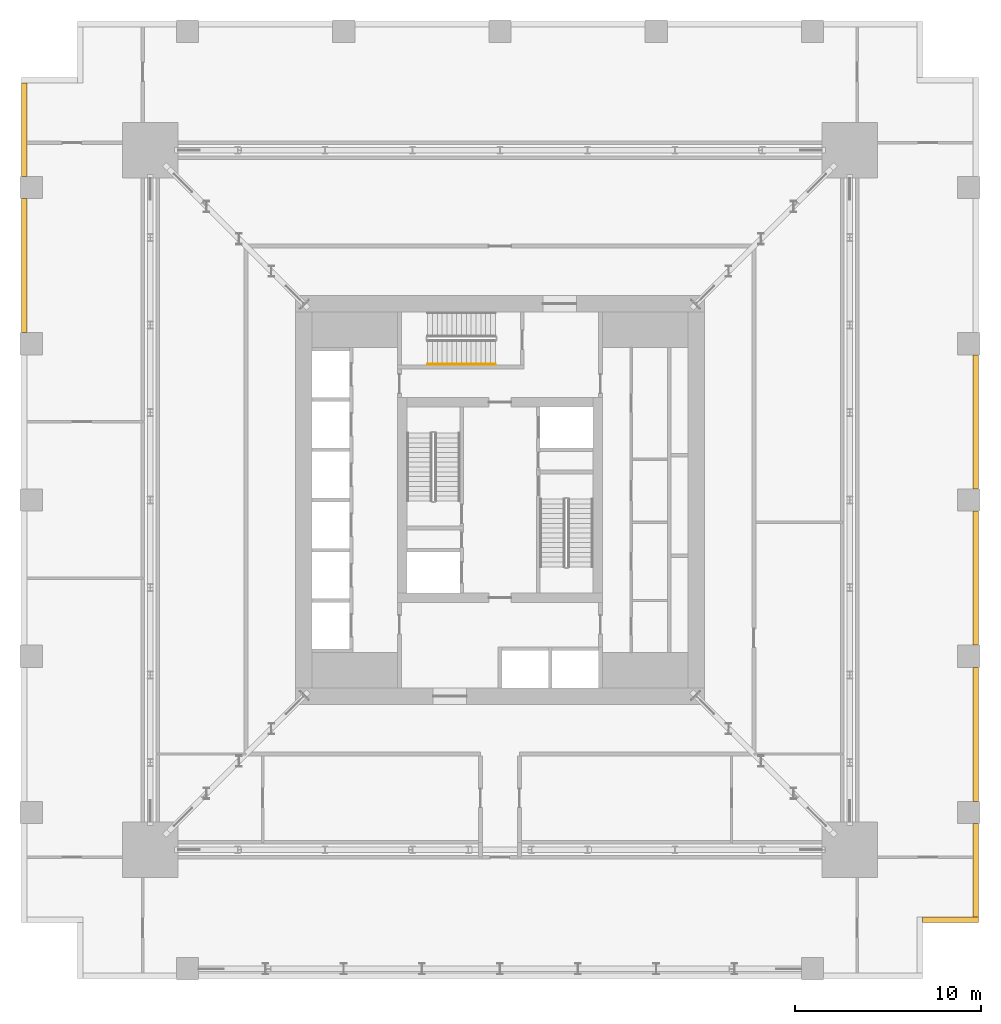
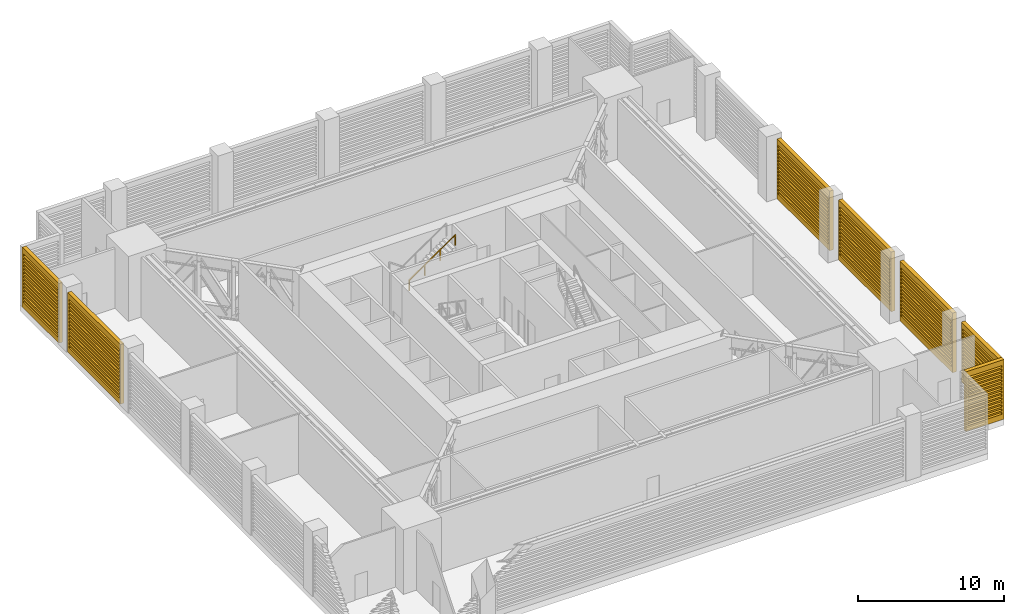
# One storey, part 15 of 17: 7 shading devices, 1 railing.
"""IFC4 building model written with IfcOpenShell, lengths in metres."""

from ifc_helpers import new_model, si_unit, direction, frame, origin, origin_2d, place, context, subcontext, project, spatial, polyline, rectangle, outline, extrude, material, type_object, element, save


model = new_model("IFC4")

# Units and contexts
model_context = context("Model", 3, precision=1e-05, world=origin(), true_north=direction((0.0, 1.0)))
body_context = subcontext(model_context, "Body", "Model", "MODEL_VIEW")
ifc_project = project(units=[si_unit("LENGTHUNIT", "METRE"), si_unit("AREAUNIT", "SQUARE_METRE"), si_unit("VOLUMEUNIT", "CUBIC_METRE"), si_unit("PLANEANGLEUNIT", "RADIAN"), si_unit("MASSUNIT", "GRAM", prefix="KILO")], contexts=[model_context])

# Site, building, storey
site_placement = place(None, origin())
site = spatial("IfcSite", under=ifc_project, at=site_placement, CompositionType="ELEMENT")
building_placement = place(site_placement, origin())
building = spatial("IfcBuilding", under=site, at=building_placement, Name="Khepri Terraces", CompositionType="ELEMENT")
storey_placement = place(building_placement, frame((0.0, 0.0, 73.800048828125)))
storey = spatial("IfcBuildingStorey", under=building, at=storey_placement, Name="L17", CompositionType="ELEMENT", Elevation=73.800048828125)

# Shading devices
ifc_material_1 = material(Name="Anodised aluminium bronze", Category="aluminium")
shading_device_type = type_object("IfcShadingDeviceType", Name="LVR-PLANT-300", PredefinedType="USERDEFINED", material=ifc_material_1)
shading_device_1_placement = place(storey_placement, frame((25.419921875, -22.419921875, 0.0), z_axis=(1.0, 0.0, 0.0), x_axis=(0.0, 1.0, 0.0)))
element("IfcShadingDevice", 1, at=shading_device_1_placement, inside=storey, type_object=shading_device_type, Name="Louvre wall L17 E", ObjectType="LOUVRE", PredefinedType="USERDEFINED", context=body_context, shape_type="SweptSolid", body=[
    extrude(outline(polyline([(0.0, 0.0), (5.02001953125, 0.0), (5.02001953125, 4.97998046875), (0.0, 4.97998046875), (0.0, 0.0)]), holes=[polyline([(0.14990234375, 0.449951171875), (4.8701171875, 0.449951171875), (4.8701171875, 0.6201171875), (0.14990234375, 0.6201171875), (0.14990234375, 0.449951171875)]), polyline([(0.14990234375, 0.75), (4.8701171875, 0.75), (4.8701171875, 0.919921875), (0.14990234375, 0.919921875), (0.14990234375, 0.75)]), polyline([(0.14990234375, 1.050048828125), (4.8701171875, 1.050048828125), (4.8701171875, 1.219970703125), (0.14990234375, 1.219970703125), (0.14990234375, 1.050048828125)]), polyline([(0.14990234375, 1.35009765625), (4.8701171875, 1.35009765625), (4.8701171875, 1.52001953125), (0.14990234375, 1.52001953125), (0.14990234375, 1.35009765625)]), polyline([(0.14990234375, 1.64990234375), (4.8701171875, 1.64990234375), (4.8701171875, 1.820068359375), (0.14990234375, 1.820068359375), (0.14990234375, 1.64990234375)]), polyline([(0.14990234375, 1.949951171875), (4.8701171875, 1.949951171875), (4.8701171875, 2.1201171875), (0.14990234375, 2.1201171875), (0.14990234375, 1.949951171875)]), polyline([(0.14990234375, 2.25), (4.8701171875, 2.25), (4.8701171875, 2.419921875), (0.14990234375, 2.419921875), (0.14990234375, 2.25)]), polyline([(0.14990234375, 2.550048828125), (4.8701171875, 2.550048828125), (4.8701171875, 2.719970703125), (0.14990234375, 2.719970703125), (0.14990234375, 2.550048828125)]), polyline([(0.14990234375, 2.85009765625), (4.8701171875, 2.85009765625), (4.8701171875, 3.02001953125), (0.14990234375, 3.02001953125), (0.14990234375, 2.85009765625)]), polyline([(0.14990234375, 3.14990234375), (4.8701171875, 3.14990234375), (4.8701171875, 3.320068359375), (0.14990234375, 3.320068359375), (0.14990234375, 3.14990234375)]), polyline([(0.14990234375, 3.449951171875), (4.8701171875, 3.449951171875), (4.8701171875, 3.6201171875), (0.14990234375, 3.6201171875), (0.14990234375, 3.449951171875)]), polyline([(0.14990234375, 3.75), (4.8701171875, 3.75), (4.8701171875, 3.919921875), (0.14990234375, 3.919921875), (0.14990234375, 3.75)]), polyline([(0.14990234375, 4.050048828125), (4.8701171875, 4.050048828125), (4.8701171875, 4.219970703125), (0.14990234375, 4.219970703125), (0.14990234375, 4.050048828125)]), polyline([(0.14990234375, 4.35009765625), (4.8701171875, 4.35009765625), (4.8701171875, 4.52001953125), (0.14990234375, 4.52001953125), (0.14990234375, 4.35009765625)])]), origin(), (0.0, 0.0, 1.0), 0.300048828125),
])
shading_device_2_placement = place(storey_placement, frame((25.419921875, -16.199951171875, 0.0), z_axis=(1.0, 0.0, 0.0), x_axis=(0.0, 1.0, 0.0)))
element("IfcShadingDevice", 2, at=shading_device_2_placement, inside=storey, type_object=shading_device_type, Name="Louvre wall L17 E", ObjectType="LOUVRE", PredefinedType="USERDEFINED", context=body_context, shape_type="SweptSolid", body=[
    extrude(outline(polyline([(0.0, 0.0), (7.199951171875, 0.0), (7.199951171875, 4.97998046875), (0.0, 4.97998046875), (0.0, 0.0)]), holes=[polyline([(0.14990234375, 0.449951171875), (7.050048828125, 0.449951171875), (7.050048828125, 0.6201171875), (0.14990234375, 0.6201171875), (0.14990234375, 0.449951171875)]), polyline([(0.14990234375, 0.75), (7.050048828125, 0.75), (7.050048828125, 0.919921875), (0.14990234375, 0.919921875), (0.14990234375, 0.75)]), polyline([(0.14990234375, 1.050048828125), (7.050048828125, 1.050048828125), (7.050048828125, 1.219970703125), (0.14990234375, 1.219970703125), (0.14990234375, 1.050048828125)]), polyline([(0.14990234375, 1.35009765625), (7.050048828125, 1.35009765625), (7.050048828125, 1.52001953125), (0.14990234375, 1.52001953125), (0.14990234375, 1.35009765625)]), polyline([(0.14990234375, 1.64990234375), (7.050048828125, 1.64990234375), (7.050048828125, 1.820068359375), (0.14990234375, 1.820068359375), (0.14990234375, 1.64990234375)]), polyline([(0.14990234375, 1.949951171875), (7.050048828125, 1.949951171875), (7.050048828125, 2.1201171875), (0.14990234375, 2.1201171875), (0.14990234375, 1.949951171875)]), polyline([(0.14990234375, 2.25), (7.050048828125, 2.25), (7.050048828125, 2.419921875), (0.14990234375, 2.419921875), (0.14990234375, 2.25)]), polyline([(0.14990234375, 2.550048828125), (7.050048828125, 2.550048828125), (7.050048828125, 2.719970703125), (0.14990234375, 2.719970703125), (0.14990234375, 2.550048828125)]), polyline([(0.14990234375, 2.85009765625), (7.050048828125, 2.85009765625), (7.050048828125, 3.02001953125), (0.14990234375, 3.02001953125), (0.14990234375, 2.85009765625)]), polyline([(0.14990234375, 3.14990234375), (7.050048828125, 3.14990234375), (7.050048828125, 3.320068359375), (0.14990234375, 3.320068359375), (0.14990234375, 3.14990234375)]), polyline([(0.14990234375, 3.449951171875), (7.050048828125, 3.449951171875), (7.050048828125, 3.6201171875), (0.14990234375, 3.6201171875), (0.14990234375, 3.449951171875)]), polyline([(0.14990234375, 3.75), (7.050048828125, 3.75), (7.050048828125, 3.919921875), (0.14990234375, 3.919921875), (0.14990234375, 3.75)]), polyline([(0.14990234375, 4.050048828125), (7.050048828125, 4.050048828125), (7.050048828125, 4.219970703125), (0.14990234375, 4.219970703125), (0.14990234375, 4.050048828125)]), polyline([(0.14990234375, 4.35009765625), (7.050048828125, 4.35009765625), (7.050048828125, 4.52001953125), (0.14990234375, 4.52001953125), (0.14990234375, 4.35009765625)])]), origin(), (0.0, 0.0, 1.0), 0.300048828125),
])
shading_device_3_placement = place(storey_placement, frame((25.419921875, -7.800048828125, 0.0), z_axis=(1.0, 0.0, 0.0), x_axis=(0.0, 1.0, 0.0)))
element("IfcShadingDevice", 3, at=shading_device_3_placement, inside=storey, type_object=shading_device_type, Name="Louvre wall L17 E", ObjectType="LOUVRE", PredefinedType="USERDEFINED", context=body_context, shape_type="SweptSolid", body=[
    extrude(outline(polyline([(0.0, 0.0), (7.199951171875, 0.0), (7.199951171875, 4.97998046875), (0.0, 4.97998046875), (0.0, 0.0)]), holes=[polyline([(0.14990234375, 0.449951171875), (7.050048828125, 0.449951171875), (7.050048828125, 0.6201171875), (0.14990234375, 0.6201171875), (0.14990234375, 0.449951171875)]), polyline([(0.14990234375, 0.75), (7.050048828125, 0.75), (7.050048828125, 0.919921875), (0.14990234375, 0.919921875), (0.14990234375, 0.75)]), polyline([(0.14990234375, 1.050048828125), (7.050048828125, 1.050048828125), (7.050048828125, 1.219970703125), (0.14990234375, 1.219970703125), (0.14990234375, 1.050048828125)]), polyline([(0.14990234375, 1.35009765625), (7.050048828125, 1.35009765625), (7.050048828125, 1.52001953125), (0.14990234375, 1.52001953125), (0.14990234375, 1.35009765625)]), polyline([(0.14990234375, 1.64990234375), (7.050048828125, 1.64990234375), (7.050048828125, 1.820068359375), (0.14990234375, 1.820068359375), (0.14990234375, 1.64990234375)]), polyline([(0.14990234375, 1.949951171875), (7.050048828125, 1.949951171875), (7.050048828125, 2.1201171875), (0.14990234375, 2.1201171875), (0.14990234375, 1.949951171875)]), polyline([(0.14990234375, 2.25), (7.050048828125, 2.25), (7.050048828125, 2.419921875), (0.14990234375, 2.419921875), (0.14990234375, 2.25)]), polyline([(0.14990234375, 2.550048828125), (7.050048828125, 2.550048828125), (7.050048828125, 2.719970703125), (0.14990234375, 2.719970703125), (0.14990234375, 2.550048828125)]), polyline([(0.14990234375, 2.85009765625), (7.050048828125, 2.85009765625), (7.050048828125, 3.02001953125), (0.14990234375, 3.02001953125), (0.14990234375, 2.85009765625)]), polyline([(0.14990234375, 3.14990234375), (7.050048828125, 3.14990234375), (7.050048828125, 3.320068359375), (0.14990234375, 3.320068359375), (0.14990234375, 3.14990234375)]), polyline([(0.14990234375, 3.449951171875), (7.050048828125, 3.449951171875), (7.050048828125, 3.6201171875), (0.14990234375, 3.6201171875), (0.14990234375, 3.449951171875)]), polyline([(0.14990234375, 3.75), (7.050048828125, 3.75), (7.050048828125, 3.919921875), (0.14990234375, 3.919921875), (0.14990234375, 3.75)]), polyline([(0.14990234375, 4.050048828125), (7.050048828125, 4.050048828125), (7.050048828125, 4.219970703125), (0.14990234375, 4.219970703125), (0.14990234375, 4.050048828125)]), polyline([(0.14990234375, 4.35009765625), (7.050048828125, 4.35009765625), (7.050048828125, 4.52001953125), (0.14990234375, 4.52001953125), (0.14990234375, 4.35009765625)])]), origin(), (0.0, 0.0, 1.0), 0.300048828125),
])
shading_device_4_placement = place(storey_placement, frame((25.419921875, 0.60009765625, 0.0), z_axis=(1.0, 0.0, 0.0), x_axis=(0.0, 1.0, 0.0)))
element("IfcShadingDevice", 4, at=shading_device_4_placement, inside=storey, type_object=shading_device_type, Name="Louvre wall L17 E", ObjectType="LOUVRE", PredefinedType="USERDEFINED", context=body_context, shape_type="SweptSolid", body=[
    extrude(outline(polyline([(0.0, 0.0), (7.199951171875, 0.0), (7.199951171875, 4.97998046875), (0.0, 4.97998046875), (0.0, 0.0)]), holes=[polyline([(0.14990234375, 0.449951171875), (7.050048828125, 0.449951171875), (7.050048828125, 0.6201171875), (0.14990234375, 0.6201171875), (0.14990234375, 0.449951171875)]), polyline([(0.14990234375, 0.75), (7.050048828125, 0.75), (7.050048828125, 0.919921875), (0.14990234375, 0.919921875), (0.14990234375, 0.75)]), polyline([(0.14990234375, 1.050048828125), (7.050048828125, 1.050048828125), (7.050048828125, 1.219970703125), (0.14990234375, 1.219970703125), (0.14990234375, 1.050048828125)]), polyline([(0.14990234375, 1.35009765625), (7.050048828125, 1.35009765625), (7.050048828125, 1.52001953125), (0.14990234375, 1.52001953125), (0.14990234375, 1.35009765625)]), polyline([(0.14990234375, 1.64990234375), (7.050048828125, 1.64990234375), (7.050048828125, 1.820068359375), (0.14990234375, 1.820068359375), (0.14990234375, 1.64990234375)]), polyline([(0.14990234375, 1.949951171875), (7.050048828125, 1.949951171875), (7.050048828125, 2.1201171875), (0.14990234375, 2.1201171875), (0.14990234375, 1.949951171875)]), polyline([(0.14990234375, 2.25), (7.050048828125, 2.25), (7.050048828125, 2.419921875), (0.14990234375, 2.419921875), (0.14990234375, 2.25)]), polyline([(0.14990234375, 2.550048828125), (7.050048828125, 2.550048828125), (7.050048828125, 2.719970703125), (0.14990234375, 2.719970703125), (0.14990234375, 2.550048828125)]), polyline([(0.14990234375, 2.85009765625), (7.050048828125, 2.85009765625), (7.050048828125, 3.02001953125), (0.14990234375, 3.02001953125), (0.14990234375, 2.85009765625)]), polyline([(0.14990234375, 3.14990234375), (7.050048828125, 3.14990234375), (7.050048828125, 3.320068359375), (0.14990234375, 3.320068359375), (0.14990234375, 3.14990234375)]), polyline([(0.14990234375, 3.449951171875), (7.050048828125, 3.449951171875), (7.050048828125, 3.6201171875), (0.14990234375, 3.6201171875), (0.14990234375, 3.449951171875)]), polyline([(0.14990234375, 3.75), (7.050048828125, 3.75), (7.050048828125, 3.919921875), (0.14990234375, 3.919921875), (0.14990234375, 3.75)]), polyline([(0.14990234375, 4.050048828125), (7.050048828125, 4.050048828125), (7.050048828125, 4.219970703125), (0.14990234375, 4.219970703125), (0.14990234375, 4.050048828125)]), polyline([(0.14990234375, 4.35009765625), (7.050048828125, 4.35009765625), (7.050048828125, 4.52001953125), (0.14990234375, 4.52001953125), (0.14990234375, 4.35009765625)])]), origin(), (0.0, 0.0, 1.0), 0.300048828125),
])
shading_device_5_placement = place(storey_placement, frame((-25.419921875, 22.419921875, 0.0), z_axis=(-1.0, 0.0, 0.0), x_axis=(0.0, -1.0, 0.0)))
element("IfcShadingDevice", 5, at=shading_device_5_placement, inside=storey, type_object=shading_device_type, Name="Louvre wall L17 W", ObjectType="LOUVRE", PredefinedType="USERDEFINED", context=body_context, shape_type="SweptSolid", body=[
    extrude(outline(polyline([(0.0, 0.0), (5.02001953125, 0.0), (5.02001953125, 4.97998046875), (0.0, 4.97998046875), (0.0, 0.0)]), holes=[polyline([(0.14990234375, 0.449951171875), (4.8701171875, 0.449951171875), (4.8701171875, 0.6201171875), (0.14990234375, 0.6201171875), (0.14990234375, 0.449951171875)]), polyline([(0.14990234375, 0.75), (4.8701171875, 0.75), (4.8701171875, 0.919921875), (0.14990234375, 0.919921875), (0.14990234375, 0.75)]), polyline([(0.14990234375, 1.050048828125), (4.8701171875, 1.050048828125), (4.8701171875, 1.219970703125), (0.14990234375, 1.219970703125), (0.14990234375, 1.050048828125)]), polyline([(0.14990234375, 1.35009765625), (4.8701171875, 1.35009765625), (4.8701171875, 1.52001953125), (0.14990234375, 1.52001953125), (0.14990234375, 1.35009765625)]), polyline([(0.14990234375, 1.64990234375), (4.8701171875, 1.64990234375), (4.8701171875, 1.820068359375), (0.14990234375, 1.820068359375), (0.14990234375, 1.64990234375)]), polyline([(0.14990234375, 1.949951171875), (4.8701171875, 1.949951171875), (4.8701171875, 2.1201171875), (0.14990234375, 2.1201171875), (0.14990234375, 1.949951171875)]), polyline([(0.14990234375, 2.25), (4.8701171875, 2.25), (4.8701171875, 2.419921875), (0.14990234375, 2.419921875), (0.14990234375, 2.25)]), polyline([(0.14990234375, 2.550048828125), (4.8701171875, 2.550048828125), (4.8701171875, 2.719970703125), (0.14990234375, 2.719970703125), (0.14990234375, 2.550048828125)]), polyline([(0.14990234375, 2.85009765625), (4.8701171875, 2.85009765625), (4.8701171875, 3.02001953125), (0.14990234375, 3.02001953125), (0.14990234375, 2.85009765625)]), polyline([(0.14990234375, 3.14990234375), (4.8701171875, 3.14990234375), (4.8701171875, 3.320068359375), (0.14990234375, 3.320068359375), (0.14990234375, 3.14990234375)]), polyline([(0.14990234375, 3.449951171875), (4.8701171875, 3.449951171875), (4.8701171875, 3.6201171875), (0.14990234375, 3.6201171875), (0.14990234375, 3.449951171875)]), polyline([(0.14990234375, 3.75), (4.8701171875, 3.75), (4.8701171875, 3.919921875), (0.14990234375, 3.919921875), (0.14990234375, 3.75)]), polyline([(0.14990234375, 4.050048828125), (4.8701171875, 4.050048828125), (4.8701171875, 4.219970703125), (0.14990234375, 4.219970703125), (0.14990234375, 4.050048828125)]), polyline([(0.14990234375, 4.35009765625), (4.8701171875, 4.35009765625), (4.8701171875, 4.52001953125), (0.14990234375, 4.52001953125), (0.14990234375, 4.35009765625)])]), origin(), (0.0, 0.0, 1.0), 0.300048828125),
])
shading_device_6_placement = place(storey_placement, frame((-25.419921875, 16.199951171875, 0.0), z_axis=(-1.0, 0.0, 0.0), x_axis=(0.0, -1.0, 0.0)))
element("IfcShadingDevice", 6, at=shading_device_6_placement, inside=storey, type_object=shading_device_type, Name="Louvre wall L17 W", ObjectType="LOUVRE", PredefinedType="USERDEFINED", context=body_context, shape_type="SweptSolid", body=[
    extrude(outline(polyline([(0.0, 0.0), (7.199951171875, 0.0), (7.199951171875, 4.97998046875), (0.0, 4.97998046875), (0.0, 0.0)]), holes=[polyline([(0.14990234375, 0.449951171875), (7.050048828125, 0.449951171875), (7.050048828125, 0.6201171875), (0.14990234375, 0.6201171875), (0.14990234375, 0.449951171875)]), polyline([(0.14990234375, 0.75), (7.050048828125, 0.75), (7.050048828125, 0.919921875), (0.14990234375, 0.919921875), (0.14990234375, 0.75)]), polyline([(0.14990234375, 1.050048828125), (7.050048828125, 1.050048828125), (7.050048828125, 1.219970703125), (0.14990234375, 1.219970703125), (0.14990234375, 1.050048828125)]), polyline([(0.14990234375, 1.35009765625), (7.050048828125, 1.35009765625), (7.050048828125, 1.52001953125), (0.14990234375, 1.52001953125), (0.14990234375, 1.35009765625)]), polyline([(0.14990234375, 1.64990234375), (7.050048828125, 1.64990234375), (7.050048828125, 1.820068359375), (0.14990234375, 1.820068359375), (0.14990234375, 1.64990234375)]), polyline([(0.14990234375, 1.949951171875), (7.050048828125, 1.949951171875), (7.050048828125, 2.1201171875), (0.14990234375, 2.1201171875), (0.14990234375, 1.949951171875)]), polyline([(0.14990234375, 2.25), (7.050048828125, 2.25), (7.050048828125, 2.419921875), (0.14990234375, 2.419921875), (0.14990234375, 2.25)]), polyline([(0.14990234375, 2.550048828125), (7.050048828125, 2.550048828125), (7.050048828125, 2.719970703125), (0.14990234375, 2.719970703125), (0.14990234375, 2.550048828125)]), polyline([(0.14990234375, 2.85009765625), (7.050048828125, 2.85009765625), (7.050048828125, 3.02001953125), (0.14990234375, 3.02001953125), (0.14990234375, 2.85009765625)]), polyline([(0.14990234375, 3.14990234375), (7.050048828125, 3.14990234375), (7.050048828125, 3.320068359375), (0.14990234375, 3.320068359375), (0.14990234375, 3.14990234375)]), polyline([(0.14990234375, 3.449951171875), (7.050048828125, 3.449951171875), (7.050048828125, 3.6201171875), (0.14990234375, 3.6201171875), (0.14990234375, 3.449951171875)]), polyline([(0.14990234375, 3.75), (7.050048828125, 3.75), (7.050048828125, 3.919921875), (0.14990234375, 3.919921875), (0.14990234375, 3.75)]), polyline([(0.14990234375, 4.050048828125), (7.050048828125, 4.050048828125), (7.050048828125, 4.219970703125), (0.14990234375, 4.219970703125), (0.14990234375, 4.050048828125)]), polyline([(0.14990234375, 4.35009765625), (7.050048828125, 4.35009765625), (7.050048828125, 4.52001953125), (0.14990234375, 4.52001953125), (0.14990234375, 4.35009765625)])]), origin(), (0.0, 0.0, 1.0), 0.300048828125),
])
shading_device_7_placement = place(storey_placement, frame((22.719970703125, -22.419921875, 0.0), z_axis=(0.0, -1.0, 0.0), x_axis=(1.0, 0.0, 0.0)))
element("IfcShadingDevice", 7, at=shading_device_7_placement, inside=storey, type_object=shading_device_type, Name="Louvre wall L17 S", ObjectType="LOUVRE", PredefinedType="USERDEFINED", context=body_context, shape_type="SweptSolid", body=[
    extrude(outline(polyline([(0.0, 0.0), (3.0, 0.0), (3.0, 4.97998046875), (0.0, 4.97998046875), (0.0, 0.0)]), holes=[polyline([(0.14990234375, 0.449951171875), (2.85009765625, 0.449951171875), (2.85009765625, 0.6201171875), (0.14990234375, 0.6201171875), (0.14990234375, 0.449951171875)]), polyline([(0.14990234375, 0.75), (2.85009765625, 0.75), (2.85009765625, 0.919921875), (0.14990234375, 0.919921875), (0.14990234375, 0.75)]), polyline([(0.14990234375, 1.050048828125), (2.85009765625, 1.050048828125), (2.85009765625, 1.219970703125), (0.14990234375, 1.219970703125), (0.14990234375, 1.050048828125)]), polyline([(0.14990234375, 1.35009765625), (2.85009765625, 1.35009765625), (2.85009765625, 1.52001953125), (0.14990234375, 1.52001953125), (0.14990234375, 1.35009765625)]), polyline([(0.14990234375, 1.64990234375), (2.85009765625, 1.64990234375), (2.85009765625, 1.820068359375), (0.14990234375, 1.820068359375), (0.14990234375, 1.64990234375)]), polyline([(0.14990234375, 1.949951171875), (2.85009765625, 1.949951171875), (2.85009765625, 2.1201171875), (0.14990234375, 2.1201171875), (0.14990234375, 1.949951171875)]), polyline([(0.14990234375, 2.25), (2.85009765625, 2.25), (2.85009765625, 2.419921875), (0.14990234375, 2.419921875), (0.14990234375, 2.25)]), polyline([(0.14990234375, 2.550048828125), (2.85009765625, 2.550048828125), (2.85009765625, 2.719970703125), (0.14990234375, 2.719970703125), (0.14990234375, 2.550048828125)]), polyline([(0.14990234375, 2.85009765625), (2.85009765625, 2.85009765625), (2.85009765625, 3.02001953125), (0.14990234375, 3.02001953125), (0.14990234375, 2.85009765625)]), polyline([(0.14990234375, 3.14990234375), (2.85009765625, 3.14990234375), (2.85009765625, 3.320068359375), (0.14990234375, 3.320068359375), (0.14990234375, 3.14990234375)]), polyline([(0.14990234375, 3.449951171875), (2.85009765625, 3.449951171875), (2.85009765625, 3.6201171875), (0.14990234375, 3.6201171875), (0.14990234375, 3.449951171875)]), polyline([(0.14990234375, 3.75), (2.85009765625, 3.75), (2.85009765625, 3.919921875), (0.14990234375, 3.919921875), (0.14990234375, 3.75)]), polyline([(0.14990234375, 4.050048828125), (2.85009765625, 4.050048828125), (2.85009765625, 4.219970703125), (0.14990234375, 4.219970703125), (0.14990234375, 4.050048828125)]), polyline([(0.14990234375, 4.35009765625), (2.85009765625, 4.35009765625), (2.85009765625, 4.52001953125), (0.14990234375, 4.52001953125), (0.14990234375, 4.35009765625)])]), origin(), (0.0, 0.0, 1.0), 0.300048828125),
])

# Railing
ifc_material_2 = material(Name="Stainless steel 316", Category="steel")
railing_type = type_object("IfcRailingType", Name="RL-CORE-HANDRAIL", PredefinedType="HANDRAIL", material=ifc_material_2)
railing_placement = place(storey_placement, frame((-3.889892578125, 7.300048828125, 2.8798828125)))
element("IfcRailing", 8, at=railing_placement, inside=storey, type_object=railing_type, Name="L17 ST-3 stair handrail 2", PredefinedType="HANDRAIL", context=body_context, shape_type="SweptSolid", body=[
    extrude(rectangle(XDim=0.050048828125, YDim=0.050048828125, at=origin_2d()), frame((0.0, 0.0, 0.875), z_axis=(0.822182265111, 0.0, 0.569224316888), x_axis=(0.0, 1.0, 0.0)), (0.0, 0.0, 1.0), 4.427001953125),
    extrude(rectangle(XDim=0.050048828125, YDim=0.050048828125, at=origin_2d()), origin(), (0.0, 0.0, 1.0), 0.849853515625),
    extrude(rectangle(XDim=0.050048828125, YDim=0.050048828125, at=origin_2d()), frame((1.21337890625, 0.0, 0.840087890625)), (0.0, 0.0, 1.0), 0.849853515625),
    extrude(rectangle(XDim=0.050048828125, YDim=0.050048828125, at=origin_2d()), frame((2.426513671875, 0.0, 1.679931640625)), (0.0, 0.0, 1.0), 0.849853515625),
    extrude(rectangle(XDim=0.050048828125, YDim=0.050048828125, at=origin_2d()), frame((3.639892578125, 0.0, 2.52001953125)), (0.0, 0.0, 1.0), 0.849853515625),
])

save(model, "model.ifc")
